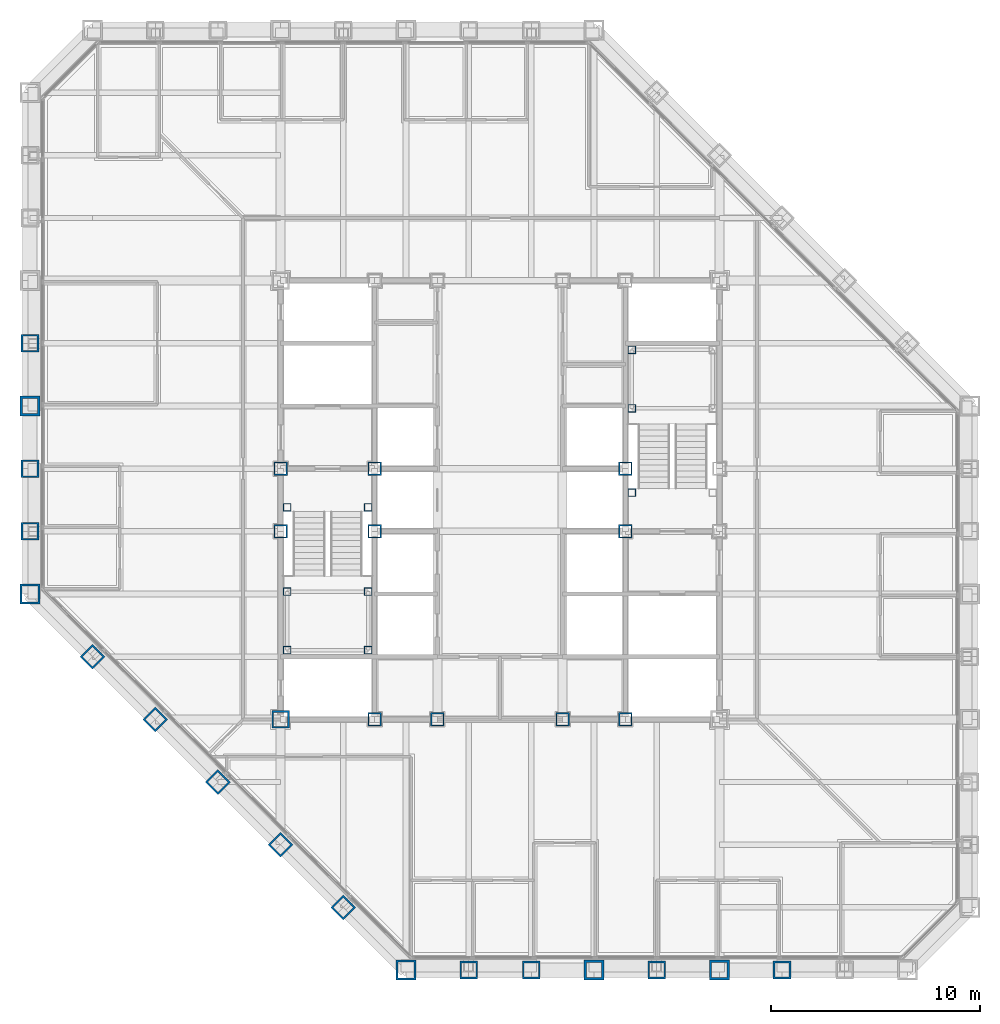
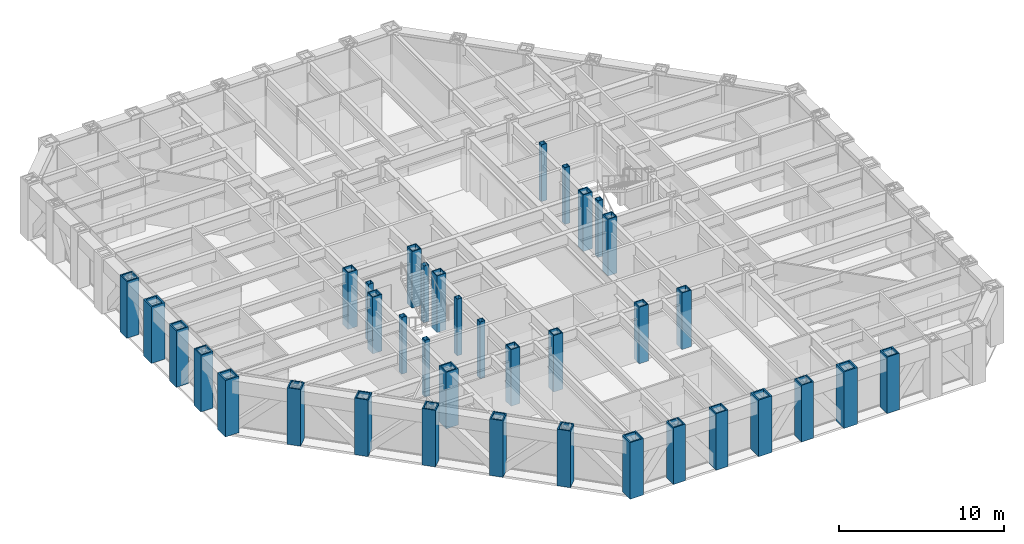
# One storey, part 1 of 17: 37 columns.
"""IFC4 building model written with IfcOpenShell, lengths in metres."""

from ifc_helpers import new_model, si_unit, direction, frame, origin, origin_2d, place, context, subcontext, project, spatial, hollow_rectangle, extrude, material, material_profile, profile_set, type_object, element, save


model = new_model("IFC4")

# Units and contexts
model_context = context("Model", 3, precision=1e-05, world=origin(), true_north=direction((0.0, 1.0)))
body_context = subcontext(model_context, "Body", "Model", "MODEL_VIEW")
ifc_project = project(units=[si_unit("LENGTHUNIT", "METRE"), si_unit("AREAUNIT", "SQUARE_METRE"), si_unit("VOLUMEUNIT", "CUBIC_METRE"), si_unit("PLANEANGLEUNIT", "RADIAN"), si_unit("MASSUNIT", "GRAM", prefix="KILO")], contexts=[model_context])

# Site, building, storey
site_placement = place(None, origin())
site = spatial("IfcSite", under=ifc_project, at=site_placement, CompositionType="ELEMENT")
building_placement = place(site_placement, origin())
building = spatial("IfcBuilding", under=site, at=building_placement, Name="Chuquiago Exchange Tower", CompositionType="ELEMENT")
storey_placement = place(building_placement, frame((0.0, 0.0, 169.800048828125)))
storey = spatial("IfcBuildingStorey", under=building, at=storey_placement, Name="L37", CompositionType="ELEMENT", Elevation=169.800048828125)

# Columns
ifc_material_1 = material(Name="Steel ASTM A572 Grade 50", Category="steel")
ifc_material_profile_1 = material_profile(ifc_material_1, hollow_rectangle(XDim=0.85009765625, YDim=0.85009765625, WallThickness=0.0849609375, at=origin_2d()), Name="BOX850X850X85")
ifc_profile_set_1 = profile_set([ifc_material_profile_1], Name="Steel ASTM A572 Grade 50")
column_type_1 = type_object("IfcColumnType", Name="C6 BOX850X850X85", PredefinedType="COLUMN", material=ifc_profile_set_1)
for number, where, z_axis, x_axis, name in (
    (1, (21.0, 0.0, 0.0), (0.0, 0.0, 1.0), (0.0, -1.0, 0.0), "COL-L37-21_0"),
    (2, (24.0, 0.0, 0.0), (0.0, 0.0, 1.0), (0.0, -1.0, 0.0), "COL-L37-24_0"),
    (3, (30.0, 0.0, 0.0), (0.0, 0.0, 1.0), (0.0, -1.0, 0.0), "COL-L37-30_0"),
    (4, (36.0, 0.0, 0.0), (0.0, 0.0, 1.0), (0.0, -1.0, 0.0), "COL-L37-36_0"),
    (5, (0.0, 30.0, 0.0), (0.0, 0.0, 1.0), (-1.0, 0.0, 0.0), "COL-L37-0_30"),
    (6, (0.0, 24.0, 0.0), (0.0, 0.0, 1.0), (-1.0, 0.0, 0.0), "COL-L37-0_24"),
    (7, (0.0, 21.0, 0.0), (0.0, 0.0, 1.0), (-1.0, 0.0, 0.0), "COL-L37-0_21"),
    (8, (3.0, 15.0, 0.0), (0.0, 0.0, 1.0), (-0.707106781187, -0.707106781187, 0.0), "COL-L37-3_15"),
    (9, (6.0, 12.0, 0.0), (0.0, 0.0, 1.0), (-0.707106781187, -0.707106781187, 0.0), "COL-L37-6_12"),
    (10, (9.0, 9.0, 0.0), (0.0, 0.0, 1.0), (-0.707106781187, -0.707106781187, 0.0), "COL-L37-9_9"),
    (11, (12.0, 6.0, 0.0), (0.0, 0.0, 1.0), (-0.707106781187, -0.707106781187, 0.0), "COL-L37-12_6"),
    (12, (15.0, 3.0, 0.0), (0.0, 0.0, 1.0), (-0.707106781187, -0.707106781187, 0.0), "COL-L37-15_3"),
):
    element("IfcColumn", number, at=place(storey_placement, frame(where, z_axis=z_axis, x_axis=x_axis)), inside=storey, type_object=column_type_1, Name=name, PredefinedType="COLUMN", context=body_context, shape_type="SweptSolid", body=[
        extrude(hollow_rectangle(XDim=0.85009765625, YDim=0.85009765625, WallThickness=0.0849609375, at=origin_2d()), origin(), (0.0, 0.0, 1.0), 4.199951171875),
    ])
ifc_material_2 = material(Name="Steel ASTM A572 Grade 50", Category="steel")
ifc_material_profile_2 = material_profile(ifc_material_2, hollow_rectangle(XDim=0.85009765625, YDim=0.85009765625, WallThickness=0.0849609375, at=origin_2d()), Name="BOX850X850X85")
ifc_profile_set_2 = profile_set([ifc_material_profile_2], Name="Steel ASTM A572 Grade 50")
column_type_2 = type_object("IfcColumnType", Name="CC6 BOX850X850X85", PredefinedType="COLUMN", material=ifc_profile_set_2)
column_placement = place(storey_placement, frame((12.0, 12.0, 0.0), z_axis=(0.0, 0.0, 1.0), x_axis=(1.0, 0.0, 0.0)))
element("IfcColumn", 13, at=column_placement, inside=storey, type_object=column_type_2, Name="CCOL-L37-12_12", PredefinedType="COLUMN", context=body_context, shape_type="SweptSolid", body=[
    extrude(hollow_rectangle(XDim=0.85009765625, YDim=0.85009765625, WallThickness=0.0849609375, at=origin_2d()), origin(), (0.0, 0.0, 1.0), 4.199951171875),
])
ifc_material_3 = material(Name="Steel ASTM A572 Grade 50", Category="steel")
ifc_material_profile_3 = material_profile(ifc_material_3, hollow_rectangle(XDim=0.64990234375, YDim=0.64990234375, WallThickness=0.06494140625, at=origin_2d()), Name="BOX650X650X65")
ifc_profile_set_3 = profile_set([ifc_material_profile_3], Name="Steel ASTM A572 Grade 50")
column_type_3 = type_object("IfcColumnType", Name="CC7 BOX650X650X65", PredefinedType="COLUMN", material=ifc_profile_set_3)
for number, where, z_axis, x_axis, name in (
    (14, (16.5, 12.0, 0.0), (0.0, 0.0, 1.0), (1.0, 0.0, 0.0), "CCOL-L37-16.5_12"),
    (15, (19.5, 12.0, 0.0), (0.0, 0.0, 1.0), (1.0, 0.0, 0.0), "CCOL-L37-19.5_12"),
    (16, (25.5, 12.0, 0.0), (0.0, 0.0, 1.0), (1.0, 0.0, 0.0), "CCOL-L37-25.5_12"),
    (17, (28.5, 12.0, 0.0), (0.0, 0.0, 1.0), (1.0, 0.0, 0.0), "CCOL-L37-28.5_12"),
    (18, (12.0, 21.0, 0.0), (0.0, 0.0, 1.0), (1.0, 0.0, 0.0), "CCOL-L37-12_21"),
    (19, (12.0, 24.0, 0.0), (0.0, 0.0, 1.0), (1.0, 0.0, 0.0), "CCOL-L37-12_24"),
    (20, (16.5, 21.0, 0.0), (0.0, 0.0, 1.0), (1.0, 0.0, 0.0), "CCOL-L37-16.5_21"),
    (21, (16.5, 24.0, 0.0), (0.0, 0.0, 1.0), (1.0, 0.0, 0.0), "CCOL-L37-16.5_24"),
    (22, (28.5, 21.0, 0.0), (0.0, 0.0, 1.0), (1.0, 0.0, 0.0), "CCOL-L37-28.5_21"),
    (23, (28.5, 24.0, 0.0), (0.0, 0.0, 1.0), (1.0, 0.0, 0.0), "CCOL-L37-28.5_24"),
):
    element("IfcColumn", number, at=place(storey_placement, frame(where, z_axis=z_axis, x_axis=x_axis)), inside=storey, type_object=column_type_3, Name=name, PredefinedType="COLUMN", context=body_context, shape_type="SweptSolid", body=[
        extrude(hollow_rectangle(XDim=0.64990234375, YDim=0.64990234375, WallThickness=0.06494140625, at=origin_2d()), origin(), (0.0, 0.0, 1.0), 4.199951171875),
    ])
ifc_material_4 = material(Name="Steel ASTM A572 Grade 50", Category="steel")
ifc_material_profile_4 = material_profile(ifc_material_4, hollow_rectangle(XDim=0.949951171875, YDim=0.949951171875, WallThickness=0.094970703125, at=origin_2d()), Name="BOX950X950X95")
ifc_profile_set_4 = profile_set([ifc_material_profile_4], Name="Steel ASTM A572 Grade 50")
column_type_4 = type_object("IfcColumnType", Name="CN1 BOX950X950X95", PredefinedType="COLUMN", material=ifc_profile_set_4)
for number, where, z_axis, x_axis, name in (
    (24, (18.0, 0.0, 0.0), (0.0, 0.0, 1.0), (0.0, -1.0, 0.0), "COL-L37-18_0"),
    (25, (0.0, 18.0, 0.0), (0.0, 0.0, 1.0), (-1.0, 0.0, 0.0), "COL-L37-0_18"),
):
    element("IfcColumn", number, at=place(storey_placement, frame(where, z_axis=z_axis, x_axis=x_axis)), inside=storey, type_object=column_type_4, Name=name, PredefinedType="COLUMN", context=body_context, shape_type="SweptSolid", body=[
        extrude(hollow_rectangle(XDim=0.949951171875, YDim=0.949951171875, WallThickness=0.094970703125, at=origin_2d()), origin(), (0.0, 0.0, 1.0), 4.199951171875),
    ])
ifc_material_5 = material(Name="Steel ASTM A572 Grade 42", Category="steel")
ifc_material_profile_5 = material_profile(ifc_material_5, hollow_rectangle(XDim=0.949951171875, YDim=0.949951171875, WallThickness=0.110107421875, at=origin_2d()), Name="BOX950X950X110")
ifc_profile_set_5 = profile_set([ifc_material_profile_5], Name="Steel ASTM A572 Grade 42")
column_type_5 = type_object("IfcColumnType", Name="CT1 BOX950X950X110", PredefinedType="COLUMN", material=ifc_profile_set_5)
for number, where, z_axis, x_axis, name in (
    (26, (27.0, 0.0, 0.0), (0.0, 0.0, 1.0), (0.0, -1.0, 0.0), "COL-L37-27_0"),
    (27, (33.0, 0.0, 0.0), (0.0, 0.0, 1.0), (0.0, -1.0, 0.0), "COL-L37-33_0"),
    (28, (0.0, 27.0, 0.0), (0.0, 0.0, 1.0), (-1.0, 0.0, 0.0), "COL-L37-0_27"),
):
    element("IfcColumn", number, at=place(storey_placement, frame(where, z_axis=z_axis, x_axis=x_axis)), inside=storey, type_object=column_type_5, Name=name, PredefinedType="COLUMN", context=body_context, shape_type="SweptSolid", body=[
        extrude(hollow_rectangle(XDim=0.949951171875, YDim=0.949951171875, WallThickness=0.110107421875, at=origin_2d()), origin(), (0.0, 0.0, 1.0), 4.199951171875),
    ])
ifc_material_6 = material(Name="Steel ASTM A500 Grade C", Category="steel")
ifc_material_profile_6 = material_profile(ifc_material_6, hollow_rectangle(XDim=0.355712890625, YDim=0.355712890625, WallThickness=0.0146484375, at=origin_2d()), Name="HSS14X14X5/8")
ifc_profile_set_6 = profile_set([ifc_material_profile_6], Name="Steel ASTM A500 Grade C")
column_type_6 = type_object("IfcColumnType", Name="PT2 HSS14X14X5/8", PredefinedType="COLUMN", material=ifc_profile_set_6)
for number, where, z_axis, x_axis, name in (
    (29, (12.31005859375, 15.31005859375, 0.0), (0.0, 0.0, 1.0), (1.0, 0.0, 0.0), "Stair ST1 L37 landing post"),
    (30, (16.18994140625, 15.31005859375, 0.0), (0.0, 0.0, 1.0), (1.0, 0.0, 0.0), "Stair ST1 L37 landing post"),
    (31, (12.31005859375, 18.110107421875, 0.0), (0.0, 0.0, 1.0), (1.0, 0.0, 0.0), "Stair ST1 L37 landing post"),
    (32, (16.18994140625, 18.110107421875, 0.0), (0.0, 0.0, 1.0), (1.0, 0.0, 0.0), "Stair ST1 L37 landing post"),
    (33, (12.31005859375, 22.14990234375, 0.0), (0.0, 0.0, 1.0), (1.0, 0.0, 0.0), "Stair ST1 L37 landing post"),
    (34, (16.18994140625, 22.14990234375, 0.0), (0.0, 0.0, 1.0), (1.0, 0.0, 0.0), "Stair ST1 L37 landing post"),
    (35, (28.81005859375, 29.68994140625, 0.0), (0.0, 0.0, 1.0), (1.0, 0.0, 0.0), "Stair ST2 L37 landing post"),
    (36, (28.81005859375, 26.889892578125, 0.0), (0.0, 0.0, 1.0), (1.0, 0.0, 0.0), "Stair ST2 L37 landing post"),
    (37, (28.81005859375, 22.85009765625, 0.0), (0.0, 0.0, 1.0), (1.0, 0.0, 0.0), "Stair ST2 L37 landing post"),
):
    element("IfcColumn", number, at=place(storey_placement, frame(where, z_axis=z_axis, x_axis=x_axis)), inside=storey, type_object=column_type_6, Name=name, PredefinedType="COLUMN", context=body_context, shape_type="SweptSolid", body=[
        extrude(hollow_rectangle(XDim=0.355712890625, YDim=0.355712890625, WallThickness=0.0146484375, at=origin_2d()), origin(), (0.0, 0.0, 1.0), 4.199951171875),
    ])

save(model, "model.ifc")
